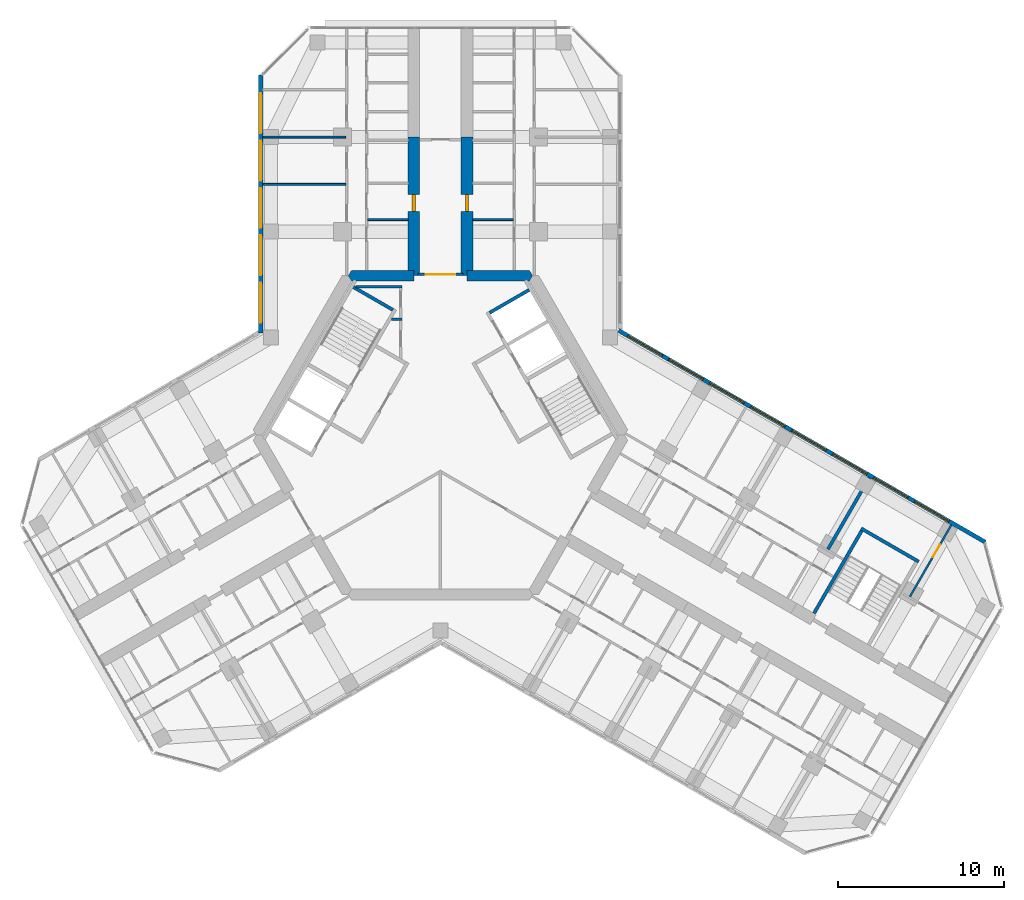
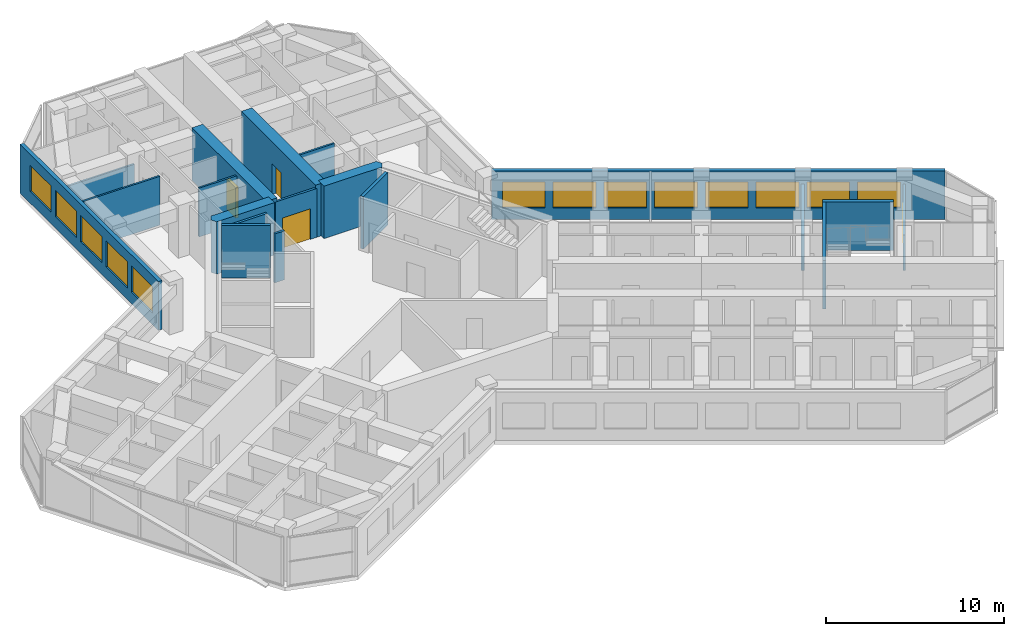
# One storey, part 13 of 16: 19 walls, 13 windows, 4 doors, 17 openings.
"""IFC4 building model written with IfcOpenShell, lengths in metres."""

from ifc_helpers import new_model, si_unit, direction, frame, frame_2d, origin, place, context, subcontext, project, spatial, polyline, rectangle, outline, extrude, material, layer, layer_set, type_object, element, fill, save


model = new_model("IFC4")

# Units and contexts
model_context = context("Model", 3, precision=1e-05, world=origin(), true_north=direction((0.0, 1.0)))
body_context = subcontext(model_context, "Body", "Model", "MODEL_VIEW")
ifc_project = project(units=[si_unit("LENGTHUNIT", "METRE"), si_unit("AREAUNIT", "SQUARE_METRE"), si_unit("VOLUMEUNIT", "CUBIC_METRE"), si_unit("PLANEANGLEUNIT", "RADIAN"), si_unit("MASSUNIT", "GRAM", prefix="KILO")], contexts=[model_context])

# Site, building, storey
site_placement = place(None, origin())
site = spatial("IfcSite", under=ifc_project, at=site_placement, CompositionType="ELEMENT")
building_placement = place(site_placement, origin())
building = spatial("IfcBuilding", under=site, at=building_placement, Name="Kosmar Iwan School Tower", CompositionType="ELEMENT")
storey_placement = place(building_placement, frame((0.0, 0.0, 211.800048828125)))
storey = spatial("IfcBuildingStorey", under=building, at=storey_placement, Name="L53", CompositionType="ELEMENT", Elevation=211.800048828125)

# Walls
ifc_material_1 = material(Name="Gypsum board on steel studs, fire-rated", Category="steel")
ifc_layer_1 = layer(ifc_material_1, 0.14990234375)
ifc_layer_set_1 = layer_set([ifc_layer_1], Name="Core room partition 150")
wall_type_1 = type_object("IfcWallType", Name="Core room partition 150", PredefinedType="PARTITIONING", material=ifc_layer_set_1)
wall_1_placement = place(storey_placement, frame((-2.324951171875, 6.985107421875, 0.0), z_axis=(0.0, 0.0, 1.0), x_axis=(-1.0, 0.0, 0.0)))
element("IfcWall", 1, at=wall_1_placement, inside=storey, type_object=wall_type_1, Name="Core room partition L53-CW2", PredefinedType="PARTITIONING", context=body_context, shape_type="SweptSolid", body=[
    extrude(rectangle(XDim=0.623779296875, YDim=0.14990234375, at=frame_2d((0.31201171875, 0.0))), origin(), (0.0, 0.0, 1.0), 3.349853515625),
])
wall_2_placement = place(storey_placement, frame((-5.089599609375, 8.93994140625, 0.0), z_axis=(0.0, 0.0, 1.0), x_axis=(1.0, 0.0, 0.0)))
element("IfcWall", 2, at=wall_2_placement, inside=storey, type_object=wall_type_1, Name="Core room partition L53-CW3", PredefinedType="PARTITIONING", context=body_context, shape_type="SweptSolid", body=[
    extrude(rectangle(XDim=2.7646484375, YDim=0.14990234375, at=frame_2d((1.38232421875, 0.0))), origin(), (0.0, 0.0, 1.0), 3.349853515625),
])
ifc_material_2 = material(Name="Concrete C50/60", Category="concrete")
ifc_layer_2 = layer(ifc_material_2, 0.64990234375)
ifc_layer_set_2 = layer_set([ifc_layer_2], Name="Core wall 650")
wall_type_2 = type_object("IfcWallType", Name="Core wall 650", PredefinedType="SHEAR", material=ifc_layer_set_2)
wall_3_placement = place(storey_placement, origin())
element("IfcWall", 3, at=wall_3_placement, inside=storey, type_object=wall_type_2, Name="Core wall F090a", PredefinedType="SHEAR", context=body_context, shape_type="SweptSolid", body=[
    extrude(outline(polyline([(1.60009765625, 9.27490234375), (5.35498046875, 9.27490234375), (5.54248046875, 9.60009765625), (5.35498046875, 9.925048828125), (1.60009765625, 9.925048828125), (1.60009765625, 9.27490234375)])), origin(), (0.0, 0.0, 1.0), 3.599853515625),
])
wall_4_placement = place(storey_placement, origin())
element("IfcWall", 4, at=wall_4_placement, inside=storey, type_object=wall_type_2, Name="Core wall F090b", PredefinedType="SHEAR", context=body_context, shape_type="SweptSolid", body=[
    extrude(outline(polyline([(-5.35498046875, 9.27490234375), (-1.60009765625, 9.27490234375), (-1.60009765625, 9.925048828125), (-5.35498046875, 9.925048828125), (-5.54248046875, 9.60009765625), (-5.35498046875, 9.27490234375)])), origin(), (0.0, 0.0, 1.0), 3.599853515625),
])

# Wall, opening, door
ifc_material_3 = material(Name="Concrete C50/60", Category="concrete")
ifc_layer_3 = layer(ifc_material_3, 0.699951171875)
ifc_layer_set_3 = layer_set([ifc_layer_3], Name="Corridor buttress wall 700")
wall_type_3 = type_object("IfcWallType", Name="Corridor buttress wall 700", PredefinedType="SHEAR", material=ifc_layer_set_3)
wall_5_placement = place(storey_placement, frame((-1.60009765625, 9.60009765625, 0.0), z_axis=(0.0, 0.0, 1.0), x_axis=(0.0, 1.0, 0.0)))
wall_5 = element("IfcWall", 5, at=wall_5_placement, inside=storey, type_object=wall_type_3, Name="Corridor wall AL", PredefinedType="SHEAR", context=body_context, shape_type="SweptSolid", body=[
    extrude(rectangle(XDim=8.349853515625, YDim=0.699951171875, at=frame_2d((4.1748046875, 0.0))), origin(), (0.0, 0.0, 1.0), 3.599853515625),
])
opening_1_placement = place(wall_5_placement, frame((3.8798828125, 0.0, 0.0)))
opening_1 = element("IfcOpeningElement", 6, at=opening_1_placement, cuts=wall_5, Name="Opening D1", PredefinedType="OPENING", context=body_context, shape_type="SweptSolid", body=[
    extrude(rectangle(XDim=1.0, YDim=2.10009765625, at=frame_2d((0.5, 1.050048828125))), frame((0.0, 0.362060546875, 0.0), z_axis=(0.0, -1.0, 0.0), x_axis=(1.0, 0.0, 0.0)), (0.0, 0.0, 1.0), 0.723876953125),
])
ifc_material_4 = material(Name="Timber fire door in steel frame", Category="steel")
door_type_1 = type_object("IfcDoorType", Name="Flat entrance door 1000x2100", OperationType="SINGLE_SWING_LEFT", PredefinedType="DOOR", material=ifc_material_4)
door_1_placement = place(opening_1_placement, origin())
door_1 = element("IfcDoor", 7, at=door_1_placement, inside=storey, type_object=door_type_1, Name="Flat L53-AL1 entrance door", OperationType="SINGLE_SWING_LEFT", OverallHeight=2.10009765625, OverallWidth=1.0, PredefinedType="DOOR", context=body_context, shape_type="SweptSolid", body=[
    extrude(rectangle(XDim=1.0, YDim=2.10009765625, at=frame_2d((0.5, 1.050048828125))), frame((0.0, 0.10009765625, 0.0), z_axis=(0.0, -1.0, 0.0), x_axis=(1.0, 0.0, 0.0)), (0.0, 0.0, 1.0), 0.199951171875),
])
fill(opening_1, door_1)

wall_6_placement = place(storey_placement, frame((1.60009765625, 9.60009765625, 0.0), z_axis=(0.0, 0.0, 1.0), x_axis=(0.0, 1.0, 0.0)))
wall_6 = element("IfcWall", 8, at=wall_6_placement, inside=storey, type_object=wall_type_3, Name="Corridor wall AR", PredefinedType="SHEAR", context=body_context, shape_type="SweptSolid", body=[
    extrude(rectangle(XDim=8.349853515625, YDim=0.699951171875, at=frame_2d((4.1748046875, 0.0))), origin(), (0.0, 0.0, 1.0), 3.599853515625),
])
opening_2_placement = place(wall_6_placement, frame((3.8798828125, 0.0, 0.0)))
opening_2 = element("IfcOpeningElement", 9, at=opening_2_placement, cuts=wall_6, Name="Opening D1", PredefinedType="OPENING", context=body_context, shape_type="SweptSolid", body=[
    extrude(rectangle(XDim=1.0, YDim=2.10009765625, at=frame_2d((0.5, 1.050048828125))), frame((0.0, 0.362060546875, 0.0), z_axis=(0.0, -1.0, 0.0), x_axis=(1.0, 0.0, 0.0)), (0.0, 0.0, 1.0), 0.723876953125),
])
door_2_placement = place(opening_2_placement, origin())
door_2 = element("IfcDoor", 10, at=door_2_placement, inside=storey, type_object=door_type_1, Name="Flat L53-AR1 entrance door", OperationType="SINGLE_SWING_RIGHT", OverallHeight=2.10009765625, OverallWidth=1.0, PredefinedType="DOOR", context=body_context, shape_type="SweptSolid", body=[
    extrude(rectangle(XDim=1.0, YDim=2.10009765625, at=frame_2d((0.5, 1.050048828125))), frame((0.0, 0.10009765625, 0.0), z_axis=(0.0, -1.0, 0.0), x_axis=(1.0, 0.0, 0.0)), (0.0, 0.0, 1.0), 0.199951171875),
])
fill(opening_2, door_2)

ifc_material_5 = material(Name="Steel framed glazed screen", Category="steel")
ifc_layer_4 = layer(ifc_material_5, 0.14990234375)
ifc_layer_set_4 = layer_set([ifc_layer_4], Name="Corridor screen wall 150")
wall_type_4 = type_object("IfcWallType", Name="Corridor screen wall 150", PredefinedType="PARTITIONING", material=ifc_layer_set_4)
wall_7_placement = place(storey_placement, frame((1.35009765625, 9.675048828125, 0.0), z_axis=(0.0, 0.0, 1.0), x_axis=(-1.0, 0.0, 0.0)))
wall_7 = element("IfcWall", 11, at=wall_7_placement, inside=storey, type_object=wall_type_4, Name="Corridor screen A L53", PredefinedType="PARTITIONING", context=body_context, shape_type="SweptSolid", body=[
    extrude(rectangle(XDim=2.7001953125, YDim=0.14990234375, at=frame_2d((1.35009765625, 0.0))), origin(), (0.0, 0.0, 1.0), 3.349853515625),
])
opening_3_placement = place(wall_7_placement, frame((0.449951171875, 0.0, 0.0)))
opening_3 = element("IfcOpeningElement", 12, at=opening_3_placement, cuts=wall_7, Name="Opening D9", PredefinedType="OPENING", context=body_context, shape_type="SweptSolid", body=[
    extrude(rectangle(XDim=1.800048828125, YDim=2.10009765625, at=frame_2d((0.89990234375, 1.050048828125))), frame((0.0, 0.0869140625, 0.0), z_axis=(0.0, -1.0, 0.0), x_axis=(1.0, 0.0, 0.0)), (0.0, 0.0, 1.0), 0.173828125),
])
ifc_material_6 = material(Name="Steel framed glazed smoke door", Category="steel")
door_type_2 = type_object("IfcDoorType", Name="Corridor smoke door pair 1800x2100", OperationType="DOUBLE_DOOR_DOUBLE_SWING", PredefinedType="DOOR", material=ifc_material_6)
door_3_placement = place(opening_3_placement, origin())
door_3 = element("IfcDoor", 13, at=door_3_placement, inside=storey, type_object=door_type_2, Name="Corridor doors A L53", OperationType="DOUBLE_DOOR_DOUBLE_SWING", OverallHeight=2.10009765625, OverallWidth=1.800048828125, PredefinedType="DOOR", context=body_context, shape_type="SweptSolid", body=[
    extrude(rectangle(XDim=1.800048828125, YDim=2.10009765625, at=frame_2d((0.89990234375, 1.050048828125))), frame((0.0, 0.02490234375, 0.0), z_axis=(0.0, -1.0, 0.0), x_axis=(1.0, 0.0, 0.0)), (0.0, 0.0, 1.0), 0.050048828125),
])
fill(opening_3, door_3)

# Walls
ifc_material_7 = material(Name="Gypsum board on steel studs", Category="steel")
ifc_layer_5 = layer(ifc_material_7, 0.1201171875)
ifc_layer_set_5 = layer_set([ifc_layer_5], Name="Dwelling partition 120")
wall_type_5 = type_object("IfcWallType", Name="Dwelling partition 120", PredefinedType="PARTITIONING", material=ifc_layer_set_5)
wall_8_placement = place(storey_placement, frame((-5.7099609375, 15.10009765625, 0.0), z_axis=(0.0, 0.0, 1.0), x_axis=(-1.0, 0.0, 0.0)))
element("IfcWall", 14, at=wall_8_placement, inside=storey, type_object=wall_type_5, Name="Partition L53-AL1-X1", PredefinedType="PARTITIONING", context=body_context, shape_type="SweptSolid", body=[
    extrude(rectangle(XDim=4.989990234375, YDim=0.1201171875, at=frame_2d((2.4951171875, 0.0))), origin(), (0.0, 0.0, 1.0), 3.349853515625),
])
wall_9_placement = place(storey_placement, frame((-5.7099609375, 17.949951171875, 0.0), z_axis=(0.0, 0.0, 1.0), x_axis=(-1.0, 0.0, 0.0)))
element("IfcWall", 15, at=wall_9_placement, inside=storey, type_object=wall_type_5, Name="Partition L53-AL1-X2", PredefinedType="PARTITIONING", context=body_context, shape_type="SweptSolid", body=[
    extrude(rectangle(XDim=4.989990234375, YDim=0.1201171875, at=frame_2d((2.4951171875, 0.0))), origin(), (0.0, 0.0, 1.0), 2.449951171875),
])
for number, where, z_axis, x_axis, name in (
    (16, (-1.949951171875, 12.97998046875, 0.0), (0.0, 0.0, 1.0), (-1.0, 0.0, 0.0), "Partition L53-AL1-Y1"),
    (17, (1.949951171875, 12.97998046875, 0.0), (0.0, 0.0, 1.0), (1.0, 0.0, 0.0), "Partition L53-AR1-Y1"),
):
    element("IfcWall", number, at=place(storey_placement, frame(where, z_axis=z_axis, x_axis=x_axis)), inside=storey, type_object=wall_type_5, Name=name, PredefinedType="PARTITIONING", context=body_context, shape_type="SweptSolid", body=[
        extrude(rectangle(XDim=2.43994140625, YDim=0.1201171875, at=frame_2d((1.219970703125, 0.0))), origin(), (0.0, 0.0, 1.0), 3.349853515625),
    ])

# Wall, opening, door
wall_10_placement = place(storey_placement, frame((28.27294921875, -9.72998046875, 0.0), z_axis=(0.0, 0.0, 1.0), x_axis=(0.499975153383, 0.86603974851, 0.0)))
wall_10 = element("IfcWall", 18, at=wall_10_placement, inside=storey, type_object=wall_type_5, Name="Partition L53-CL3-TX", PredefinedType="PARTITIONING", context=body_context, shape_type="SweptSolid", body=[
    extrude(rectangle(XDim=4.989990234375, YDim=0.1201171875, at=frame_2d((2.4951171875, 0.0))), origin(), (0.0, 0.0, 1.0), 2.449951171875),
])
opening_4_placement = place(wall_10_placement, frame((2.739990234375, 0.0, 0.0)))
opening_4 = element("IfcOpeningElement", 19, at=opening_4_placement, cuts=wall_10, Name="Opening D2", PredefinedType="OPENING", context=body_context, shape_type="SweptSolid", body=[
    extrude(rectangle(XDim=0.89990234375, YDim=2.10009765625, at=frame_2d((0.449951171875, 1.050048828125))), frame((0.0, 0.072021484375, 0.0), z_axis=(0.0, -1.0, 0.0), x_axis=(1.0, 0.0, 0.0)), (0.0, 0.0, 1.0), 0.14404296875),
])
ifc_material_8 = material(Name="Timber door in timber frame", Category="wood")
door_type_3 = type_object("IfcDoorType", Name="Internal door 900x2100", OperationType="SINGLE_SWING_LEFT", PredefinedType="DOOR", material=ifc_material_8)
door_4_placement = place(opening_4_placement, origin())
door_4 = element("IfcDoor", 20, at=door_4_placement, inside=storey, type_object=door_type_3, Name="Bedroom 1 door L53-CL3-T1", OperationType="SINGLE_SWING_RIGHT", OverallHeight=2.10009765625, OverallWidth=0.89990234375, PredefinedType="DOOR", context=body_context, shape_type="SweptSolid", body=[
    extrude(rectangle(XDim=0.89990234375, YDim=2.10009765625, at=frame_2d((0.449951171875, 1.050048828125))), frame((0.0, 0.02490234375, 0.0), z_axis=(0.0, -1.0, 0.0), x_axis=(1.0, 0.0, 0.0)), (0.0, 0.0, 1.0), 0.050048828125),
])
fill(opening_4, door_4)

# Walls
ifc_material_9 = material(Name="Concrete C35/45", Category="concrete")
ifc_layer_6 = layer(ifc_material_9, 0.199951171875)
ifc_layer_set_6 = layer_set([ifc_layer_6], Name="Escape stair wall 200")
wall_type_6 = type_object("IfcWallType", Name="Escape stair wall 200", PredefinedType="SHEAR", material=ifc_layer_set_6)
wall_11_placement = place(storey_placement, frame((22.49560546875, -10.736328125, 0.0), z_axis=(0.0, 0.0, 1.0), x_axis=(0.500013701029, 0.866017493347, 0.0)))
element("IfcWall", 21, at=wall_11_placement, inside=storey, type_object=wall_type_6, Name="Stair WS3 wall", PredefinedType="SHEAR", context=body_context, shape_type="SweptSolid", body=[
    extrude(rectangle(XDim=5.949951171875, YDim=0.199951171875, at=frame_2d((2.97509765625, 0.0))), origin(), (0.0, 0.0, 1.0), 3.329833984375),
])
wall_12_placement = place(storey_placement, frame((25.334228515625, -5.6201171875, 0.0), z_axis=(0.0, 0.0, 1.0), x_axis=(0.866026010844, -0.49999894854, 0.0)))
element("IfcWall", 22, at=wall_12_placement, inside=storey, type_object=wall_type_6, Name="Stair WS3 wall", PredefinedType="SHEAR", context=body_context, shape_type="SweptSolid", body=[
    extrude(rectangle(XDim=4.0, YDim=0.199951171875, at=frame_2d((2.0, 0.0))), origin(), (0.0, 0.0, 1.0), 3.329833984375),
])

# Wall, openings, windows
ifc_material_10 = material(Name="Black aluminium rainscreen on insulated framing", Category="aluminium")
ifc_layer_7 = layer(ifc_material_10, 0.25)
ifc_layer_set_7 = layer_set([ifc_layer_7], Name="External wall rainscreen 250")
wall_type_7 = type_object("IfcWallType", Name="External wall rainscreen 250", PredefinedType="SOLIDWALL", material=ifc_layer_set_7)
wall_13_placement = place(storey_placement, frame((10.73681640625, 6.30078125, 0.0), z_axis=(0.0, 0.0, 1.0), x_axis=(0.866026390279, -0.499998291337, 0.0)))
wall_13 = element("IfcWall", 23, at=wall_13_placement, inside=storey, type_object=wall_type_7, Name="External wall CL L53", PredefinedType="SOLIDWALL", context=body_context, shape_type="SweptSolid", body=[
    extrude(rectangle(XDim=25.4873046875, YDim=0.25, at=frame_2d((12.74365234375, 0.0))), origin(), (0.0, 0.0, 1.0), 3.349853515625),
])
opening_5_placement = place(wall_13_placement, frame((0.626953125, 0.0, 0.800048828125)))
opening_5 = element("IfcOpeningElement", 24, at=opening_5_placement, cuts=wall_13, Name="Opening W5", PredefinedType="OPENING", context=body_context, shape_type="SweptSolid", body=[
    extrude(rectangle(XDim=2.39990234375, YDim=1.800048828125, at=frame_2d((1.199951171875, 0.89990234375))), frame((0.0, 0.136962890625, 0.0), z_axis=(0.0, -1.0, 0.0), x_axis=(1.0, 0.0, 0.0)), (0.0, 0.0, 1.0), 0.27392578125),
])
opening_6_placement = place(wall_13_placement, frame((3.47705078125, 0.0, 0.800048828125)))
opening_6 = element("IfcOpeningElement", 25, at=opening_6_placement, cuts=wall_13, Name="Opening W5", PredefinedType="OPENING", context=body_context, shape_type="SweptSolid", body=[
    extrude(rectangle(XDim=2.39990234375, YDim=1.800048828125, at=frame_2d((1.199951171875, 0.89990234375))), frame((0.0, 0.136962890625, 0.0), z_axis=(0.0, -1.0, 0.0), x_axis=(1.0, 0.0, 0.0)), (0.0, 0.0, 1.0), 0.27392578125),
])
opening_7_placement = place(wall_13_placement, frame((6.326904296875, 0.0, 0.800048828125)))
opening_7 = element("IfcOpeningElement", 26, at=opening_7_placement, cuts=wall_13, Name="Opening W5", PredefinedType="OPENING", context=body_context, shape_type="SweptSolid", body=[
    extrude(rectangle(XDim=2.39990234375, YDim=1.800048828125, at=frame_2d((1.199951171875, 0.89990234375))), frame((0.0, 0.136962890625, 0.0), z_axis=(0.0, -1.0, 0.0), x_axis=(1.0, 0.0, 0.0)), (0.0, 0.0, 1.0), 0.27392578125),
])
opening_8_placement = place(wall_13_placement, frame((9.177001953125, 0.0, 0.800048828125)))
opening_8 = element("IfcOpeningElement", 27, at=opening_8_placement, cuts=wall_13, Name="Opening W5", PredefinedType="OPENING", context=body_context, shape_type="SweptSolid", body=[
    extrude(rectangle(XDim=2.39990234375, YDim=1.800048828125, at=frame_2d((1.199951171875, 0.89990234375))), frame((0.0, 0.136962890625, 0.0), z_axis=(0.0, -1.0, 0.0), x_axis=(1.0, 0.0, 0.0)), (0.0, 0.0, 1.0), 0.27392578125),
])
opening_9_placement = place(wall_13_placement, frame((12.027099609375, 0.0, 0.800048828125)))
opening_9 = element("IfcOpeningElement", 28, at=opening_9_placement, cuts=wall_13, Name="Opening W5", PredefinedType="OPENING", context=body_context, shape_type="SweptSolid", body=[
    extrude(rectangle(XDim=2.39990234375, YDim=1.800048828125, at=frame_2d((1.199951171875, 0.89990234375))), frame((0.0, 0.136962890625, 0.0), z_axis=(0.0, -1.0, 0.0), x_axis=(1.0, 0.0, 0.0)), (0.0, 0.0, 1.0), 0.27392578125),
])
opening_10_placement = place(wall_13_placement, frame((14.876953125, 0.0, 0.800048828125)))
opening_10 = element("IfcOpeningElement", 29, at=opening_10_placement, cuts=wall_13, Name="Opening W5", PredefinedType="OPENING", context=body_context, shape_type="SweptSolid", body=[
    extrude(rectangle(XDim=2.39990234375, YDim=1.800048828125, at=frame_2d((1.199951171875, 0.89990234375))), frame((0.0, 0.136962890625, 0.0), z_axis=(0.0, -1.0, 0.0), x_axis=(1.0, 0.0, 0.0)), (0.0, 0.0, 1.0), 0.27392578125),
])
opening_11_placement = place(wall_13_placement, frame((17.72705078125, 0.0, 0.800048828125)))
opening_11 = element("IfcOpeningElement", 30, at=opening_11_placement, cuts=wall_13, Name="Opening W5", PredefinedType="OPENING", context=body_context, shape_type="SweptSolid", body=[
    extrude(rectangle(XDim=2.39990234375, YDim=1.800048828125, at=frame_2d((1.199951171875, 0.89990234375))), frame((0.0, 0.136962890625, 0.0), z_axis=(0.0, -1.0, 0.0), x_axis=(1.0, 0.0, 0.0)), (0.0, 0.0, 1.0), 0.27392578125),
])
opening_12_placement = place(wall_13_placement, frame((20.576904296875, 0.0, 0.800048828125)))
opening_12 = element("IfcOpeningElement", 31, at=opening_12_placement, cuts=wall_13, Name="Opening W5", PredefinedType="OPENING", context=body_context, shape_type="SweptSolid", body=[
    extrude(rectangle(XDim=2.39990234375, YDim=1.800048828125, at=frame_2d((1.199951171875, 0.89990234375))), frame((0.0, 0.136962890625, 0.0), z_axis=(0.0, -1.0, 0.0), x_axis=(1.0, 0.0, 0.0)), (0.0, 0.0, 1.0), 0.27392578125),
])
ifc_material_11 = material(Name="Black aluminium frame with dark triple glazing", Category="aluminium")
window_type = type_object("IfcWindowType", Name="Window 2400x1800", PartitioningType="SINGLE_PANEL", PredefinedType="WINDOW", material=ifc_material_11)
window_1_placement = place(opening_5_placement, origin())
window_1 = element("IfcWindow", 32, at=window_1_placement, inside=storey, type_object=window_type, Name="Window CL L53 -1", OverallHeight=1.800048828125, OverallWidth=2.39990234375, PartitioningType="SINGLE_PANEL", PredefinedType="WINDOW", context=body_context, shape_type="SweptSolid", body=[
    extrude(rectangle(XDim=2.39990234375, YDim=1.800048828125, at=frame_2d((1.199951171875, 0.89990234375))), frame((0.0, 0.030029296875, 0.0), z_axis=(0.0, -1.0, 0.0), x_axis=(1.0, 0.0, 0.0)), (0.0, 0.0, 1.0), 0.06005859375),
])
fill(opening_5, window_1)
window_2_placement = place(opening_6_placement, origin())
window_2 = element("IfcWindow", 33, at=window_2_placement, inside=storey, type_object=window_type, Name="Window CL L53 0", OverallHeight=1.800048828125, OverallWidth=2.39990234375, PartitioningType="SINGLE_PANEL", PredefinedType="WINDOW", context=body_context, shape_type="SweptSolid", body=[
    extrude(rectangle(XDim=2.39990234375, YDim=1.800048828125, at=frame_2d((1.199951171875, 0.89990234375))), frame((0.0, 0.030029296875, 0.0), z_axis=(0.0, -1.0, 0.0), x_axis=(1.0, 0.0, 0.0)), (0.0, 0.0, 1.0), 0.06005859375),
])
fill(opening_6, window_2)
window_3_placement = place(opening_7_placement, origin())
window_3 = element("IfcWindow", 34, at=window_3_placement, inside=storey, type_object=window_type, Name="Window CL L53 1", OverallHeight=1.800048828125, OverallWidth=2.39990234375, PartitioningType="SINGLE_PANEL", PredefinedType="WINDOW", context=body_context, shape_type="SweptSolid", body=[
    extrude(rectangle(XDim=2.39990234375, YDim=1.800048828125, at=frame_2d((1.199951171875, 0.89990234375))), frame((0.0, 0.030029296875, 0.0), z_axis=(0.0, -1.0, 0.0), x_axis=(1.0, 0.0, 0.0)), (0.0, 0.0, 1.0), 0.06005859375),
])
fill(opening_7, window_3)
window_4_placement = place(opening_8_placement, origin())
window_4 = element("IfcWindow", 35, at=window_4_placement, inside=storey, type_object=window_type, Name="Window CL L53 2", OverallHeight=1.800048828125, OverallWidth=2.39990234375, PartitioningType="SINGLE_PANEL", PredefinedType="WINDOW", context=body_context, shape_type="SweptSolid", body=[
    extrude(rectangle(XDim=2.39990234375, YDim=1.800048828125, at=frame_2d((1.199951171875, 0.89990234375))), frame((0.0, 0.030029296875, 0.0), z_axis=(0.0, -1.0, 0.0), x_axis=(1.0, 0.0, 0.0)), (0.0, 0.0, 1.0), 0.06005859375),
])
fill(opening_8, window_4)
window_5_placement = place(opening_9_placement, origin())
window_5 = element("IfcWindow", 36, at=window_5_placement, inside=storey, type_object=window_type, Name="Window CL L53 3", OverallHeight=1.800048828125, OverallWidth=2.39990234375, PartitioningType="SINGLE_PANEL", PredefinedType="WINDOW", context=body_context, shape_type="SweptSolid", body=[
    extrude(rectangle(XDim=2.39990234375, YDim=1.800048828125, at=frame_2d((1.199951171875, 0.89990234375))), frame((0.0, 0.030029296875, 0.0), z_axis=(0.0, -1.0, 0.0), x_axis=(1.0, 0.0, 0.0)), (0.0, 0.0, 1.0), 0.06005859375),
])
fill(opening_9, window_5)
window_6_placement = place(opening_10_placement, origin())
window_6 = element("IfcWindow", 37, at=window_6_placement, inside=storey, type_object=window_type, Name="Window CL L53 4", OverallHeight=1.800048828125, OverallWidth=2.39990234375, PartitioningType="SINGLE_PANEL", PredefinedType="WINDOW", context=body_context, shape_type="SweptSolid", body=[
    extrude(rectangle(XDim=2.39990234375, YDim=1.800048828125, at=frame_2d((1.199951171875, 0.89990234375))), frame((0.0, 0.030029296875, 0.0), z_axis=(0.0, -1.0, 0.0), x_axis=(1.0, 0.0, 0.0)), (0.0, 0.0, 1.0), 0.06005859375),
])
fill(opening_10, window_6)
window_7_placement = place(opening_11_placement, origin())
window_7 = element("IfcWindow", 38, at=window_7_placement, inside=storey, type_object=window_type, Name="Window CL L53 5", OverallHeight=1.800048828125, OverallWidth=2.39990234375, PartitioningType="SINGLE_PANEL", PredefinedType="WINDOW", context=body_context, shape_type="SweptSolid", body=[
    extrude(rectangle(XDim=2.39990234375, YDim=1.800048828125, at=frame_2d((1.199951171875, 0.89990234375))), frame((0.0, 0.030029296875, 0.0), z_axis=(0.0, -1.0, 0.0), x_axis=(1.0, 0.0, 0.0)), (0.0, 0.0, 1.0), 0.06005859375),
])
fill(opening_11, window_7)
window_8_placement = place(opening_12_placement, origin())
window_8 = element("IfcWindow", 39, at=window_8_placement, inside=storey, type_object=window_type, Name="Window CL L53 6", OverallHeight=1.800048828125, OverallWidth=2.39990234375, PartitioningType="SINGLE_PANEL", PredefinedType="WINDOW", context=body_context, shape_type="SweptSolid", body=[
    extrude(rectangle(XDim=2.39990234375, YDim=1.800048828125, at=frame_2d((1.199951171875, 0.89990234375))), frame((0.0, 0.030029296875, 0.0), z_axis=(0.0, -1.0, 0.0), x_axis=(1.0, 0.0, 0.0)), (0.0, 0.0, 1.0), 0.06005859375),
])
fill(opening_12, window_8)

wall_14_placement = place(storey_placement, frame((-10.824951171875, 6.14794921875, 0.0), z_axis=(0.0, 0.0, 1.0), x_axis=(0.0, 1.0, 0.0)))
wall_14 = element("IfcWall", 40, at=wall_14_placement, inside=storey, type_object=wall_type_7, Name="External wall AL L53", PredefinedType="SOLIDWALL", context=body_context, shape_type="SweptSolid", body=[
    extrude(rectangle(XDim=15.537353515625, YDim=0.25, at=frame_2d((7.7685546875, 0.0))), origin(), (0.0, 0.0, 1.0), 3.349853515625),
])
opening_13_placement = place(wall_14_placement, frame((0.626953125, 0.0, 0.800048828125)))
opening_13 = element("IfcOpeningElement", 41, at=opening_13_placement, cuts=wall_14, Name="Opening W5", PredefinedType="OPENING", context=body_context, shape_type="SweptSolid", body=[
    extrude(rectangle(XDim=2.39990234375, YDim=1.800048828125, at=frame_2d((1.199951171875, 0.89990234375))), frame((0.0, 0.136962890625, 0.0), z_axis=(0.0, -1.0, 0.0), x_axis=(1.0, 0.0, 0.0)), (0.0, 0.0, 1.0), 0.27392578125),
])
opening_14_placement = place(wall_14_placement, frame((3.47705078125, 0.0, 0.800048828125)))
opening_14 = element("IfcOpeningElement", 42, at=opening_14_placement, cuts=wall_14, Name="Opening W5", PredefinedType="OPENING", context=body_context, shape_type="SweptSolid", body=[
    extrude(rectangle(XDim=2.39990234375, YDim=1.800048828125, at=frame_2d((1.199951171875, 0.89990234375))), frame((0.0, 0.136962890625, 0.0), z_axis=(0.0, -1.0, 0.0), x_axis=(1.0, 0.0, 0.0)), (0.0, 0.0, 1.0), 0.27392578125),
])
opening_15_placement = place(wall_14_placement, frame((6.326904296875, 0.0, 0.800048828125)))
opening_15 = element("IfcOpeningElement", 43, at=opening_15_placement, cuts=wall_14, Name="Opening W5", PredefinedType="OPENING", context=body_context, shape_type="SweptSolid", body=[
    extrude(rectangle(XDim=2.39990234375, YDim=1.800048828125, at=frame_2d((1.199951171875, 0.89990234375))), frame((0.0, 0.136962890625, 0.0), z_axis=(0.0, -1.0, 0.0), x_axis=(1.0, 0.0, 0.0)), (0.0, 0.0, 1.0), 0.27392578125),
])
opening_16_placement = place(wall_14_placement, frame((9.177001953125, 0.0, 0.800048828125)))
opening_16 = element("IfcOpeningElement", 44, at=opening_16_placement, cuts=wall_14, Name="Opening W5", PredefinedType="OPENING", context=body_context, shape_type="SweptSolid", body=[
    extrude(rectangle(XDim=2.39990234375, YDim=1.800048828125, at=frame_2d((1.199951171875, 0.89990234375))), frame((0.0, 0.136962890625, 0.0), z_axis=(0.0, -1.0, 0.0), x_axis=(1.0, 0.0, 0.0)), (0.0, 0.0, 1.0), 0.27392578125),
])
opening_17_placement = place(wall_14_placement, frame((12.027099609375, 0.0, 0.800048828125)))
opening_17 = element("IfcOpeningElement", 45, at=opening_17_placement, cuts=wall_14, Name="Opening W5", PredefinedType="OPENING", context=body_context, shape_type="SweptSolid", body=[
    extrude(rectangle(XDim=2.39990234375, YDim=1.800048828125, at=frame_2d((1.199951171875, 0.89990234375))), frame((0.0, 0.136962890625, 0.0), z_axis=(0.0, -1.0, 0.0), x_axis=(1.0, 0.0, 0.0)), (0.0, 0.0, 1.0), 0.27392578125),
])
window_9_placement = place(opening_13_placement, origin())
window_9 = element("IfcWindow", 46, at=window_9_placement, inside=storey, type_object=window_type, Name="Window AL L53 -1", OverallHeight=1.800048828125, OverallWidth=2.39990234375, PartitioningType="SINGLE_PANEL", PredefinedType="WINDOW", context=body_context, shape_type="SweptSolid", body=[
    extrude(rectangle(XDim=2.39990234375, YDim=1.800048828125, at=frame_2d((1.199951171875, 0.89990234375))), frame((0.0, 0.030029296875, 0.0), z_axis=(0.0, -1.0, 0.0), x_axis=(1.0, 0.0, 0.0)), (0.0, 0.0, 1.0), 0.06005859375),
])
fill(opening_13, window_9)
window_10_placement = place(opening_14_placement, origin())
window_10 = element("IfcWindow", 47, at=window_10_placement, inside=storey, type_object=window_type, Name="Window AL L53 0", OverallHeight=1.800048828125, OverallWidth=2.39990234375, PartitioningType="SINGLE_PANEL", PredefinedType="WINDOW", context=body_context, shape_type="SweptSolid", body=[
    extrude(rectangle(XDim=2.39990234375, YDim=1.800048828125, at=frame_2d((1.199951171875, 0.89990234375))), frame((0.0, 0.030029296875, 0.0), z_axis=(0.0, -1.0, 0.0), x_axis=(1.0, 0.0, 0.0)), (0.0, 0.0, 1.0), 0.06005859375),
])
fill(opening_14, window_10)
window_11_placement = place(opening_15_placement, origin())
window_11 = element("IfcWindow", 48, at=window_11_placement, inside=storey, type_object=window_type, Name="Window AL L53 1", OverallHeight=1.800048828125, OverallWidth=2.39990234375, PartitioningType="SINGLE_PANEL", PredefinedType="WINDOW", context=body_context, shape_type="SweptSolid", body=[
    extrude(rectangle(XDim=2.39990234375, YDim=1.800048828125, at=frame_2d((1.199951171875, 0.89990234375))), frame((0.0, 0.030029296875, 0.0), z_axis=(0.0, -1.0, 0.0), x_axis=(1.0, 0.0, 0.0)), (0.0, 0.0, 1.0), 0.06005859375),
])
fill(opening_15, window_11)
window_12_placement = place(opening_16_placement, origin())
window_12 = element("IfcWindow", 49, at=window_12_placement, inside=storey, type_object=window_type, Name="Window AL L53 2", OverallHeight=1.800048828125, OverallWidth=2.39990234375, PartitioningType="SINGLE_PANEL", PredefinedType="WINDOW", context=body_context, shape_type="SweptSolid", body=[
    extrude(rectangle(XDim=2.39990234375, YDim=1.800048828125, at=frame_2d((1.199951171875, 0.89990234375))), frame((0.0, 0.030029296875, 0.0), z_axis=(0.0, -1.0, 0.0), x_axis=(1.0, 0.0, 0.0)), (0.0, 0.0, 1.0), 0.06005859375),
])
fill(opening_16, window_12)
window_13_placement = place(opening_17_placement, origin())
window_13 = element("IfcWindow", 50, at=window_13_placement, inside=storey, type_object=window_type, Name="Window AL L53 3", OverallHeight=1.800048828125, OverallWidth=2.39990234375, PartitioningType="SINGLE_PANEL", PredefinedType="WINDOW", context=body_context, shape_type="SweptSolid", body=[
    extrude(rectangle(XDim=2.39990234375, YDim=1.800048828125, at=frame_2d((1.199951171875, 0.89990234375))), frame((0.0, 0.030029296875, 0.0), z_axis=(0.0, -1.0, 0.0), x_axis=(1.0, 0.0, 0.0)), (0.0, 0.0, 1.0), 0.06005859375),
])
fill(opening_17, window_13)

# Walls
ifc_material_12 = material(Name="Concrete C50/60", Category="concrete")
ifc_layer_8 = layer(ifc_material_12, 0.199951171875)
ifc_layer_set_8 = layer_set([ifc_layer_8], Name="Lift shaft wall 200")
wall_type_8 = type_object("IfcWallType", Name="Lift shaft wall 200", PredefinedType="SHEAR", material=ifc_layer_set_8)
wall_15_placement = place(storey_placement, frame((2.962646484375, 7.368408203125, 0.0), z_axis=(0.0, 0.0, 1.0), x_axis=(0.866027397988, 0.499996545922, 0.0)))
element("IfcWall", 51, at=wall_15_placement, inside=storey, type_object=wall_type_8, Name="Lift shaft wall AC 2", PredefinedType="SHEAR", context=body_context, shape_type="SweptSolid", body=[
    extrude(rectangle(XDim=2.75, YDim=0.199951171875, at=frame_2d((1.375, 0.0))), origin(), (0.0, 0.0, 1.0), 3.599853515625),
])
ifc_material_13 = material(Name="Concrete block masonry", Category="masonry")
ifc_layer_9 = layer(ifc_material_13, 0.199951171875)
ifc_layer_set_9 = layer_set([ifc_layer_9], Name="Party wall 200")
wall_type_9 = type_object("IfcWallType", Name="Party wall 200", PredefinedType="PARTITIONING", material=ifc_layer_set_9)
wall_16_placement = place(storey_placement, frame((23.33642578125, -6.8798828125, 0.0), z_axis=(0.0, 0.0, 1.0), x_axis=(0.500033033937, 0.866006330792, 0.0)))
element("IfcWall", 52, at=wall_16_placement, inside=storey, type_object=wall_type_9, Name="Partition L53-CL3-TB", PredefinedType="PARTITIONING", context=body_context, shape_type="SweptSolid", body=[
    extrude(rectangle(XDim=4.989990234375, YDim=0.199951171875, at=frame_2d((2.4951171875, 0.0))), origin(), (0.0, 0.0, 1.0), 2.449951171875),
])
ifc_material_14 = material(Name="Concrete C50/60", Category="concrete")
ifc_layer_10 = layer(ifc_material_14, 0.199951171875)
ifc_layer_set_10 = layer_set([ifc_layer_10], Name="Stair enclosure wall 200")
wall_type_10 = type_object("IfcWallType", Name="Stair enclosure wall 200", PredefinedType="SHEAR", material=ifc_layer_set_10)
wall_17_placement = place(storey_placement, frame((-2.862548828125, 7.541748046875, 0.0), z_axis=(0.0, 0.0, 1.0), x_axis=(-0.866027397988, 0.499996545922, 0.0)))
element("IfcWall", 53, at=wall_17_placement, inside=storey, type_object=wall_type_10, Name="Stair ST2 wall", PredefinedType="SHEAR", context=body_context, shape_type="SweptSolid", body=[
    extrude(rectangle(XDim=2.75, YDim=0.199951171875, at=frame_2d((1.375, 0.0))), origin(), (0.0, 0.0, 1.0), 3.599853515625),
])

save(model, "model.ifc")
